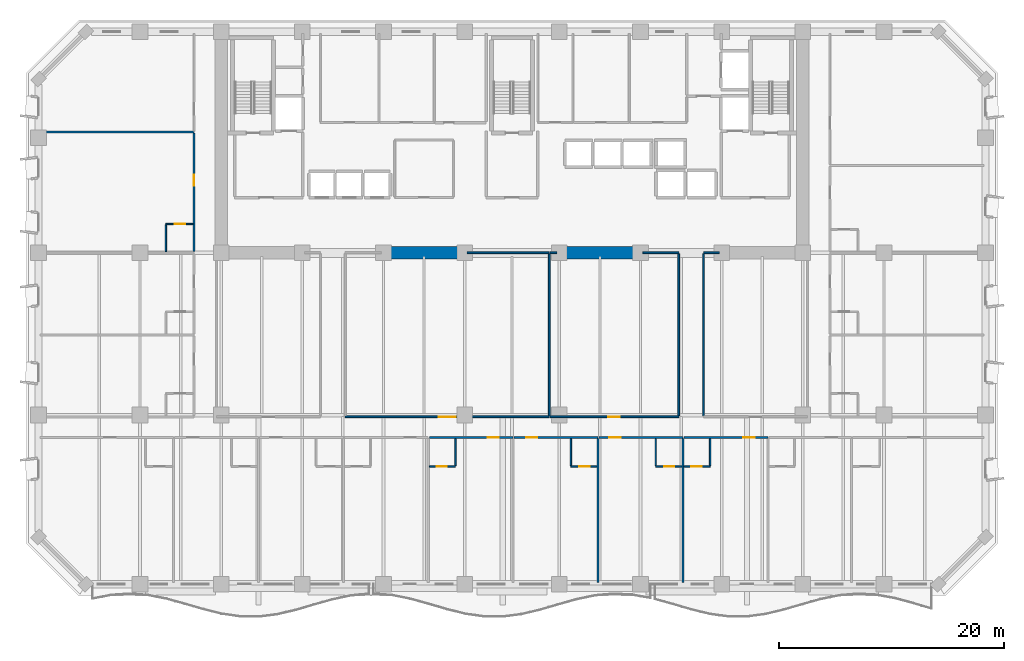
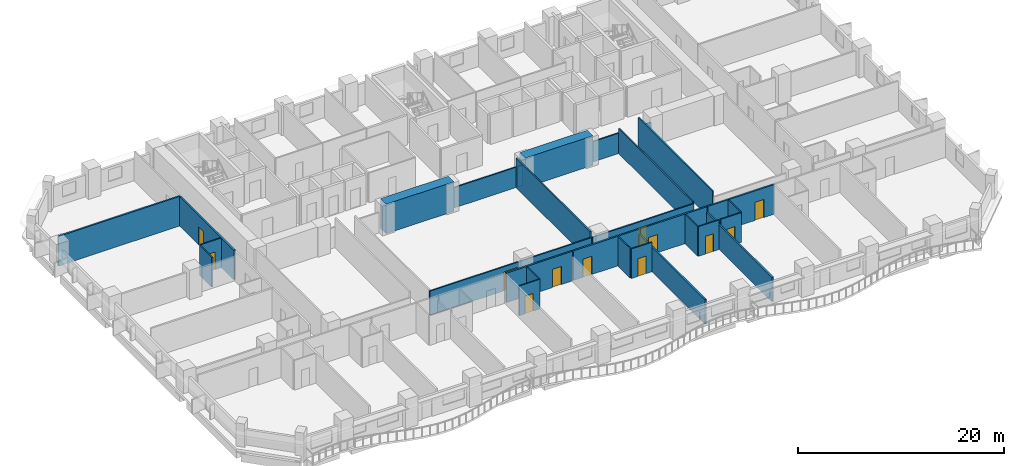
# One storey, part 6 of 15: 29 walls, 12 doors, 12 openings.
"""IFC4 building model written with IfcOpenShell, lengths in metres."""

import ifcopenshell
import ifcopenshell.guid

model = None  # the IFC model being written
_history = None  # IfcOwnerHistory: only IFC2X3 demands one
_inside = {}  # id of a spatial element -> (the spatial element, [elements in it])
_under = {}  # id of a project, library or spatial element -> (it, [spatial elements below it])
_declared = {}  # id of a project -> (the project, [libraries it declares])
_typed = {}  # id of a type object -> (the type object, [elements of that type])
_made_of = {}  # id of a material, layer set ... -> (it, [elements and type objects made of it])


def new_model(schema):
    """Start an empty IFC model of exactly this schema.

    Asked for "IFC4X3", IfcOpenShell would pick the latest addendum, in which some entities
    have other attributes; the version numbers below select the first issue.
    IFC2X3 requires an IfcOwnerHistory on every rooted entity: one is made here for all.
    """
    global model, _history
    if schema == "IFC4X3":
        model = ifcopenshell.file(schema_version=(4, 3, 0, 0))
    else:
        model = ifcopenshell.file(schema=schema)
    _inside.clear()
    _under.clear()
    _declared.clear()
    _typed.clear()
    _made_of.clear()
    _history = None
    if model.schema == "IFC2X3":
        org = make("IfcOrganization", Name="unknown")
        user = make(
            "IfcPersonAndOrganization",
            ThePerson=make("IfcPerson", FamilyName="unknown"),
            TheOrganization=org,
        )
        app = make(
            "IfcApplication",
            ApplicationDeveloper=org,
            Version="unknown",
            ApplicationFullName="unknown",
            ApplicationIdentifier="unknown",
        )
        _history = make(
            "IfcOwnerHistory",
            OwningUser=user,
            OwningApplication=app,
            ChangeAction="ADDED",
            CreationDate=0,
        )
    return model


def make(cls, **values):
    """One entity of the class cls with the attributes given. An attribute that is None is left unset."""
    return model.create_entity(
        cls, **{name: value for name, value in values.items() if value is not None}
    )


def rooted(cls, **values):
    """An entity with a GlobalId (a new one), such as an element, a storey or a relation."""
    return make(cls, GlobalId=ifcopenshell.guid.new(), OwnerHistory=_history, **values)


def si_unit(unit_type, name, prefix=None):
    """IfcSIUnit, for example si_unit("LENGTHUNIT", "METRE", prefix="MILLI")."""
    return make("IfcSIUnit", UnitType=unit_type, Prefix=prefix, Name=name)


def assignment(units):
    """IfcUnitAssignment: the units of a project."""
    return None if units is None else make("IfcUnitAssignment", Units=units)


def point(xyz):
    """IfcCartesianPoint."""
    return None if xyz is None else make("IfcCartesianPoint", Coordinates=xyz)


def direction(xyz):
    """IfcDirection."""
    return None if xyz is None else make("IfcDirection", DirectionRatios=xyz)


def frame(location, z_axis=None, x_axis=None):
    """IfcAxis2Placement3D, a coordinate frame: its origin and axes. An axis left out is left unset."""
    return make(
        "IfcAxis2Placement3D",
        Location=point(location),
        Axis=direction(z_axis),
        RefDirection=direction(x_axis),
    )


def frame_2d(location, x_axis=None):
    """IfcAxis2Placement2D, a coordinate frame in the plane: its origin and x axis."""
    return make(
        "IfcAxis2Placement2D", Location=point(location), RefDirection=direction(x_axis)
    )


def origin():
    """The frame at (0, 0, 0) with its axes left unset."""
    return frame((0.0, 0.0, 0.0))


def place(relative_to, where):
    """IfcLocalPlacement: puts the frame where relative to a parent placement (None: the world)."""
    return make(
        "IfcLocalPlacement", PlacementRelTo=relative_to, RelativePlacement=where
    )


def context(
    kind, dimensions, precision=None, world=None, true_north=None, identifier=None
):
    """IfcGeometricRepresentationContext, for example the 3D "Model" context."""
    return make(
        "IfcGeometricRepresentationContext",
        ContextIdentifier=identifier,
        ContextType=kind,
        CoordinateSpaceDimension=dimensions,
        Precision=precision,
        WorldCoordinateSystem=world,
        TrueNorth=true_north,
    )


def subcontext(parent, identifier, kind, view, scale=None):
    """IfcGeometricRepresentationSubContext, for example "Body" below "Model"."""
    return make(
        "IfcGeometricRepresentationSubContext",
        ContextIdentifier=identifier,
        ContextType=kind,
        ParentContext=parent,
        TargetScale=scale,
        TargetView=view,
    )


def project(units=None, contexts=None):
    """IfcProject with its units and contexts."""
    return rooted(
        "IfcProject",
        Name="project",
        RepresentationContexts=contexts,
        UnitsInContext=assignment(units),
    )


def spatial(cls, under=None, at=None, **own):
    """A site, building, storey or space (cls), placed at a placement, below another one or the project."""
    s = rooted(cls, ObjectPlacement=at, **own)
    if under is not None:
        _under.setdefault(under.id(), (under, []))[1].append(s)
    return s


def profile(cls, at=None, kind="AREA", **sizes):
    """A parametric profile (cls). Its sizes go by their IFC names, for example OverallWidth=200.0."""
    return make(cls, ProfileType=kind, Position=at, **sizes)


def rectangle(**sizes):
    """IfcRectangleProfileDef."""
    return profile("IfcRectangleProfileDef", **sizes)


def extrude(swept, where, along, depth):
    """IfcExtrudedAreaSolid: the profile swept, set in the frame where, extruded along a direction by depth."""
    return make(
        "IfcExtrudedAreaSolid",
        SweptArea=swept,
        Position=where,
        ExtrudedDirection=direction(along),
        Depth=depth,
    )


def shape(context_of_items, identifier, shape_type, items):
    """IfcShapeRepresentation: the items that make up one representation, for example the "Body"."""
    return make(
        "IfcShapeRepresentation",
        ContextOfItems=context_of_items,
        RepresentationIdentifier=identifier,
        RepresentationType=shape_type,
        Items=items,
    )


def material(Name=None, Category=None):
    """IfcMaterial."""
    return make("IfcMaterial", Name=Name, Category=Category)


def layer(
    of_material, thickness, ventilated=None, Name=None, Category=None, Priority=None
):
    """IfcMaterialLayer: one layer of a wall or slab, of a material (None: an air gap)."""
    return make(
        "IfcMaterialLayer",
        Material=of_material,
        LayerThickness=thickness,
        IsVentilated=ventilated,
        Name=Name,
        Category=Category,
        Priority=Priority,
    )


def layer_set(layers, Name=None):
    """IfcMaterialLayerSet."""
    return make("IfcMaterialLayerSet", MaterialLayers=layers, LayerSetName=Name)


def made_of(thing, what):
    """Note that an element or type object is made of a material, layer set ...; save() writes the relation."""
    if what is not None:
        _made_of.setdefault(what.id(), (what, []))[1].append(thing)
    return thing


def type_object(cls, material=None, **own):
    """A type object (cls), such as IfcWallType, which elements share."""
    return made_of(rooted(cls, **own), material)


def element(
    cls,
    number,
    at=None,
    inside=None,
    cuts=None,
    type_object=None,
    material=None,
    context=None,
    identifier="Body",
    shape_type=None,
    held_by="IfcProductDefinitionShape",
    body=None,
    shapes=None,
    **own,
):
    """One element of the class cls, such as IfcWall. Its Tag is "e" and its number.

    at: its placement. inside: the storey or other place that contains it. cuts: it is an
    opening in that element (IfcRelVoidsElement). A single representation is given by context,
    identifier, shape_type and body (its items); several are given by shapes. held_by: the class
    of the entity that holds the representations. save() writes the other relations.
    """
    e = rooted(cls, Tag="e%d" % number, ObjectPlacement=at, **own)
    if body is not None:
        shapes = [shape(context, identifier, shape_type, body)]
    if shapes is not None:
        e.Representation = make(held_by, Representations=shapes)
    if inside is not None:
        _inside.setdefault(inside.id(), (inside, []))[1].append(e)
    if cuts is not None:
        rooted(
            "IfcRelVoidsElement", RelatingBuildingElement=cuts, RelatedOpeningElement=e
        )
    if type_object is not None:
        _typed.setdefault(type_object.id(), (type_object, []))[1].append(e)
    return made_of(e, material)


def fill(opening, filler):
    """IfcRelFillsElement: the door or window that sits in an opening."""
    return rooted(
        "IfcRelFillsElement",
        RelatingOpeningElement=opening,
        RelatedBuildingElement=filler,
    )


def aggregate(whole, parts):
    """IfcRelAggregates: a whole, such as a stair, and the parts it consists of."""
    return rooted("IfcRelAggregates", RelatingObject=whole, RelatedObjects=parts)


def save(model, path):
    """Write the relations noted so far, then the file.

    IfcRelAggregates (storeys below a building ...), IfcRelContainedInSpatialStructure (elements
    in a storey), IfcRelDefinesByType, IfcRelAssociatesMaterial and IfcRelDeclares: one each for
    every whole, place, type object, material and project.
    """
    for whole, parts in _under.values():
        aggregate(whole, parts)
    for where, things in _inside.values():
        rooted(
            "IfcRelContainedInSpatialStructure",
            RelatedElements=things,
            RelatingStructure=where,
        )
    for kind, things in _typed.values():
        rooted("IfcRelDefinesByType", RelatedObjects=things, RelatingType=kind)
    for what, things in _made_of.values():
        rooted("IfcRelAssociatesMaterial", RelatedObjects=things, RelatingMaterial=what)
    for by, libraries in _declared.values():
        rooted("IfcRelDeclares", RelatingContext=by, RelatedDefinitions=libraries)
    model.write(path)


model = new_model("IFC4")

# Units and contexts
model_context = context("Model", 3, precision=1e-05, world=origin(), true_north=direction((0.0, 1.0)))
body_context = subcontext(model_context, "Body", "Model", "MODEL_VIEW")
ifc_project = project(units=[si_unit("LENGTHUNIT", "METRE"), si_unit("AREAUNIT", "SQUARE_METRE"), si_unit("VOLUMEUNIT", "CUBIC_METRE"), si_unit("PLANEANGLEUNIT", "RADIAN"), si_unit("MASSUNIT", "GRAM", prefix="KILO")], contexts=[model_context])

# Site, building, storey
site_placement = place(None, origin())
site = spatial("IfcSite", under=ifc_project, at=site_placement, CompositionType="ELEMENT")
building_placement = place(site_placement, origin())
building = spatial("IfcBuilding", under=site, at=building_placement, Name="Kaelvorn Grand Hotel", CompositionType="ELEMENT")
storey_placement = place(building_placement, frame((0.0, 0.0, 61.39990234375)))
storey = spatial("IfcBuildingStorey", under=building, at=storey_placement, Name="L13", CompositionType="ELEMENT", Elevation=61.39990234375)

# Walls
ifc_material_1 = material(Name="Concrete C80/95", Category="concrete")
ifc_layer_1 = layer(ifc_material_1, 1.10009765625)
ifc_layer_set_1 = layer_set([ifc_layer_1], Name="Concrete C80/95")
wall_type_1 = type_object("IfcWallType", Name="WL-CORE-1100-C80", PredefinedType="SHEAR", material=ifc_layer_set_1)
for number, where, z_axis, x_axis, name in (
    (1, (30.39990234375, 29.39990234375, 0.0), (0.0, 0.0, 1.0), (1.0, 0.0, 0.0), "L13 Rear-Core Coupled Shear Pier S2"),
    (2, (46.0, 29.39990234375, 0.0), (0.0, 0.0, 1.0), (1.0, 0.0, 0.0), "L13 Rear-Core Coupled Shear Pier S3"),
):
    element("IfcWall", number, at=place(storey_placement, frame(where, z_axis=z_axis, x_axis=x_axis)), inside=storey, type_object=wall_type_1, Name=name, PredefinedType="SHEAR", context=body_context, shape_type="SweptSolid", body=[
        extrude(rectangle(XDim=7.60009765625, YDim=1.10009765625, at=frame_2d((3.800048828125, 0.0))), origin(), (0.0, 0.0, 1.0), 3.510009765625),
    ])

# Wall, opening, door
ifc_material_2 = material(Name="Moisture-Resistant Tile & Stud Board")
ifc_layer_2 = layer(ifc_material_2, 0.125)
ifc_layer_set_2 = layer_set([ifc_layer_2], Name="Moisture-Resistant Tile & Stud Board")
wall_type_2 = type_object("IfcWallType", Name="WL-PART-125-WET", PredefinedType="PARTITIONING", material=ifc_layer_set_2)
wall_1_placement = place(storey_placement, frame((34.665283203125, 10.449951171875, 0.0), z_axis=(0.0, 0.0, 1.0), x_axis=(1.0, 0.0, 0.0)))
wall_1 = element("IfcWall", 3, at=wall_1_placement, inside=storey, type_object=wall_type_2, Name="L13 En-suite Bathroom L13-05 S Partition", PredefinedType="PARTITIONING", context=body_context, shape_type="SweptSolid", body=[
    extrude(rectangle(XDim=2.31494140625, YDim=0.125, at=frame_2d((1.157470703125, 0.0))), origin(), (0.0, 0.0, 1.0), 3.510009765625),
])
opening_1_placement = place(wall_1_placement, frame((0.659912109375, 0.0, 0.0)))
opening_1 = element("IfcOpeningElement", 4, at=opening_1_placement, cuts=wall_1, Name="Opening DI4", PredefinedType="OPENING", context=body_context, shape_type="SweptSolid", body=[
    extrude(rectangle(XDim=0.89990234375, YDim=2.10009765625, at=frame_2d((0.449951171875, 1.050048828125))), frame((0.0, 0.072509765625, 0.0), z_axis=(0.0, -1.0, 0.0), x_axis=(1.0, 0.0, 0.0)), (0.0, 0.0, 1.0), 0.14501953125),
])
ifc_material_3 = material(Name="Timber Veneer Leaf", Category="wood")
door_type_1 = type_object("IfcDoorType", Name="DR-INT-BATH-900x2100", OperationType="NOTDEFINED", PredefinedType="DOOR", material=ifc_material_3)
door_1_placement = place(opening_1_placement, origin())
door_1 = element("IfcDoor", 5, at=door_1_placement, inside=storey, type_object=door_type_1, Name="L13 En-suite Bathroom L13-05 Door", OperationType="SINGLE_SWING_LEFT", OverallHeight=2.10009765625, OverallWidth=0.89990234375, PredefinedType="DOOR", context=body_context, shape_type="SweptSolid", body=[
    extrude(rectangle(XDim=0.89990234375, YDim=2.10009765625, at=frame_2d((0.449951171875, 1.050048828125))), frame((0.0, 0.02490234375, 0.0), z_axis=(0.0, -1.0, 0.0), x_axis=(1.0, 0.0, 0.0)), (0.0, 0.0, 1.0), 0.050048828125),
])
fill(opening_1, door_1)

# Wall
wall_2_placement = place(storey_placement, frame((36.980224609375, 10.517578125, 0.0), z_axis=(0.0, 0.0, 1.0), x_axis=(0.0, 1.0, 0.0)))
element("IfcWall", 6, at=wall_2_placement, inside=storey, type_object=wall_type_2, Name="L13 En-suite Bathroom L13-05 E Partition", PredefinedType="PARTITIONING", context=body_context, shape_type="SweptSolid", body=[
    extrude(rectangle(XDim=2.387451171875, YDim=0.125, at=frame_2d((1.19384765625, 0.0))), origin(), (0.0, 0.0, 1.0), 3.510009765625),
])

# Wall, opening, door
wall_3_placement = place(storey_placement, frame((47.220458984375, 10.449951171875, 0.0), z_axis=(0.0, 0.0, 1.0), x_axis=(1.0, 0.0, 0.0)))
wall_3 = element("IfcWall", 7, at=wall_3_placement, inside=storey, type_object=wall_type_2, Name="L13 En-suite Bathroom L13-06 S Partition", PredefinedType="PARTITIONING", context=body_context, shape_type="SweptSolid", body=[
    extrude(rectangle(XDim=2.31494140625, YDim=0.125, at=frame_2d((1.157470703125, 0.0))), origin(), (0.0, 0.0, 1.0), 3.510009765625),
])
opening_2_placement = place(wall_3_placement, frame((0.7548828125, 0.0, 0.0)))
opening_2 = element("IfcOpeningElement", 8, at=opening_2_placement, cuts=wall_3, Name="Opening DI4", PredefinedType="OPENING", context=body_context, shape_type="SweptSolid", body=[
    extrude(rectangle(XDim=0.89990234375, YDim=2.10009765625, at=frame_2d((0.449951171875, 1.050048828125))), frame((0.0, 0.072509765625, 0.0), z_axis=(0.0, -1.0, 0.0), x_axis=(1.0, 0.0, 0.0)), (0.0, 0.0, 1.0), 0.14501953125),
])
door_2_placement = place(opening_2_placement, origin())
door_2 = element("IfcDoor", 9, at=door_2_placement, inside=storey, type_object=door_type_1, Name="L13 En-suite Bathroom L13-06 Door", OperationType="SINGLE_SWING_LEFT", OverallHeight=2.10009765625, OverallWidth=0.89990234375, PredefinedType="DOOR", context=body_context, shape_type="SweptSolid", body=[
    extrude(rectangle(XDim=0.89990234375, YDim=2.10009765625, at=frame_2d((0.449951171875, 1.050048828125))), frame((0.0, 0.02490234375, 0.0), z_axis=(0.0, -1.0, 0.0), x_axis=(1.0, 0.0, 0.0)), (0.0, 0.0, 1.0), 0.050048828125),
])
fill(opening_2, door_2)

# Wall
wall_4_placement = place(storey_placement, frame((47.220458984375, 10.517578125, 0.0), z_axis=(0.0, 0.0, 1.0), x_axis=(0.0, 1.0, 0.0)))
element("IfcWall", 10, at=wall_4_placement, inside=storey, type_object=wall_type_2, Name="L13 En-suite Bathroom L13-06 W Partition", PredefinedType="PARTITIONING", context=body_context, shape_type="SweptSolid", body=[
    extrude(rectangle(XDim=2.387451171875, YDim=0.125, at=frame_2d((1.19384765625, 0.0))), origin(), (0.0, 0.0, 1.0), 3.510009765625),
])

# Wall, opening, door
wall_5_placement = place(storey_placement, frame((54.75048828125, 10.449951171875, 0.0), z_axis=(0.0, 0.0, 1.0), x_axis=(1.0, 0.0, 0.0)))
wall_5 = element("IfcWall", 11, at=wall_5_placement, inside=storey, type_object=wall_type_2, Name="L13 En-suite Bathroom L13-07 S Partition", PredefinedType="PARTITIONING", context=body_context, shape_type="SweptSolid", body=[
    extrude(rectangle(XDim=2.315185546875, YDim=0.125, at=frame_2d((1.15771484375, 0.0))), origin(), (0.0, 0.0, 1.0), 3.510009765625),
])
opening_3_placement = place(wall_5_placement, frame((0.7548828125, 0.0, 0.0)))
opening_3 = element("IfcOpeningElement", 12, at=opening_3_placement, cuts=wall_5, Name="Opening DI4", PredefinedType="OPENING", context=body_context, shape_type="SweptSolid", body=[
    extrude(rectangle(XDim=0.89990234375, YDim=2.10009765625, at=frame_2d((0.449951171875, 1.050048828125))), frame((0.0, 0.072509765625, 0.0), z_axis=(0.0, -1.0, 0.0), x_axis=(1.0, 0.0, 0.0)), (0.0, 0.0, 1.0), 0.14501953125),
])
door_3_placement = place(opening_3_placement, origin())
door_3 = element("IfcDoor", 13, at=door_3_placement, inside=storey, type_object=door_type_1, Name="L13 En-suite Bathroom L13-07 Door", OperationType="SINGLE_SWING_LEFT", OverallHeight=2.10009765625, OverallWidth=0.89990234375, PredefinedType="DOOR", context=body_context, shape_type="SweptSolid", body=[
    extrude(rectangle(XDim=0.89990234375, YDim=2.10009765625, at=frame_2d((0.449951171875, 1.050048828125))), frame((0.0, 0.02490234375, 0.0), z_axis=(0.0, -1.0, 0.0), x_axis=(1.0, 0.0, 0.0)), (0.0, 0.0, 1.0), 0.050048828125),
])
fill(opening_3, door_3)

# Wall
wall_6_placement = place(storey_placement, frame((54.75048828125, 10.517578125, 0.0), z_axis=(0.0, 0.0, 1.0), x_axis=(0.0, 1.0, 0.0)))
element("IfcWall", 14, at=wall_6_placement, inside=storey, type_object=wall_type_2, Name="L13 En-suite Bathroom L13-07 W Partition", PredefinedType="PARTITIONING", context=body_context, shape_type="SweptSolid", body=[
    extrude(rectangle(XDim=2.387451171875, YDim=0.125, at=frame_2d((1.19384765625, 0.0))), origin(), (0.0, 0.0, 1.0), 3.510009765625),
])

# Wall, opening, door
wall_7_placement = place(storey_placement, frame((57.255615234375, 10.449951171875, 0.0), z_axis=(0.0, 0.0, 1.0), x_axis=(1.0, 0.0, 0.0)))
wall_7 = element("IfcWall", 15, at=wall_7_placement, inside=storey, type_object=wall_type_2, Name="L13 En-suite Bathroom L13-08 S Partition", PredefinedType="PARTITIONING", context=body_context, shape_type="SweptSolid", body=[
    extrude(rectangle(XDim=2.31494140625, YDim=0.125, at=frame_2d((1.157470703125, 0.0))), origin(), (0.0, 0.0, 1.0), 3.510009765625),
])
opening_4_placement = place(wall_7_placement, frame((0.659912109375, 0.0, 0.0)))
opening_4 = element("IfcOpeningElement", 16, at=opening_4_placement, cuts=wall_7, Name="Opening DI4", PredefinedType="OPENING", context=body_context, shape_type="SweptSolid", body=[
    extrude(rectangle(XDim=0.89990234375, YDim=2.10009765625, at=frame_2d((0.449951171875, 1.050048828125))), frame((0.0, 0.072509765625, 0.0), z_axis=(0.0, -1.0, 0.0), x_axis=(1.0, 0.0, 0.0)), (0.0, 0.0, 1.0), 0.14501953125),
])
door_4_placement = place(opening_4_placement, origin())
door_4 = element("IfcDoor", 17, at=door_4_placement, inside=storey, type_object=door_type_1, Name="L13 En-suite Bathroom L13-08 Door", OperationType="SINGLE_SWING_LEFT", OverallHeight=2.10009765625, OverallWidth=0.89990234375, PredefinedType="DOOR", context=body_context, shape_type="SweptSolid", body=[
    extrude(rectangle(XDim=0.89990234375, YDim=2.10009765625, at=frame_2d((0.449951171875, 1.050048828125))), frame((0.0, 0.02490234375, 0.0), z_axis=(0.0, -1.0, 0.0), x_axis=(1.0, 0.0, 0.0)), (0.0, 0.0, 1.0), 0.050048828125),
])
fill(opening_4, door_4)

# Wall
wall_8_placement = place(storey_placement, frame((59.570556640625, 10.517578125, 0.0), z_axis=(0.0, 0.0, 1.0), x_axis=(0.0, 1.0, 0.0)))
element("IfcWall", 18, at=wall_8_placement, inside=storey, type_object=wall_type_2, Name="L13 En-suite Bathroom L13-08 E Partition", PredefinedType="PARTITIONING", context=body_context, shape_type="SweptSolid", body=[
    extrude(rectangle(XDim=2.387451171875, YDim=0.125, at=frame_2d((1.19384765625, 0.0))), origin(), (0.0, 0.0, 1.0), 3.510009765625),
])

# Wall, opening, door
wall_9_placement = place(storey_placement, frame((11.300048828125, 31.949951171875, 0.0), z_axis=(0.0, 0.0, 1.0), x_axis=(1.0, 0.0, 0.0)))
wall_9 = element("IfcWall", 19, at=wall_9_placement, inside=storey, type_object=wall_type_2, Name="L13 En-suite Bathroom L13-15 N Partition", PredefinedType="PARTITIONING", context=body_context, shape_type="SweptSolid", body=[
    extrude(rectangle(XDim=2.405029296875, YDim=0.125, at=frame_2d((1.20263671875, 0.0))), origin(), (0.0, 0.0, 1.0), 3.510009765625),
])
opening_5_placement = place(wall_9_placement, frame((0.800048828125, 0.0, 0.0)))
opening_5 = element("IfcOpeningElement", 20, at=opening_5_placement, cuts=wall_9, Name="Opening DI4", PredefinedType="OPENING", context=body_context, shape_type="SweptSolid", body=[
    extrude(rectangle(XDim=0.89990234375, YDim=2.10009765625, at=frame_2d((0.449951171875, 1.050048828125))), frame((0.0, 0.072509765625, 0.0), z_axis=(0.0, -1.0, 0.0), x_axis=(1.0, 0.0, 0.0)), (0.0, 0.0, 1.0), 0.14501953125),
])
door_5_placement = place(opening_5_placement, origin())
door_5 = element("IfcDoor", 21, at=door_5_placement, inside=storey, type_object=door_type_1, Name="L13 En-suite Bathroom L13-15 Door", OperationType="SINGLE_SWING_RIGHT", OverallHeight=2.10009765625, OverallWidth=0.89990234375, PredefinedType="DOOR", context=body_context, shape_type="SweptSolid", body=[
    extrude(rectangle(XDim=0.89990234375, YDim=2.10009765625, at=frame_2d((0.449951171875, 1.050048828125))), frame((0.0, 0.02490234375, 0.0), z_axis=(0.0, -1.0, 0.0), x_axis=(1.0, 0.0, 0.0)), (0.0, 0.0, 1.0), 0.050048828125),
])
fill(opening_5, door_5)

# Wall
wall_10_placement = place(storey_placement, frame((11.300048828125, 29.4951171875, 0.0), z_axis=(0.0, 0.0, 1.0), x_axis=(0.0, 1.0, 0.0)))
element("IfcWall", 22, at=wall_10_placement, inside=storey, type_object=wall_type_2, Name="L13 En-suite Bathroom L13-15 W Partition", PredefinedType="PARTITIONING", context=body_context, shape_type="SweptSolid", body=[
    extrude(rectangle(XDim=2.387451171875, YDim=0.125, at=frame_2d((1.19384765625, 0.0))), origin(), (0.0, 0.0, 1.0), 3.510009765625),
])

# Wall, opening, door
ifc_material_4 = material(Name="Acoustic Gypsum & Stud Partition")
ifc_layer_3 = layer(ifc_material_4, 0.14990234375)
ifc_layer_set_3 = layer_set([ifc_layer_3], Name="Acoustic Gypsum & Stud Partition")
wall_type_3 = type_object("IfcWallType", Name="WL-PART-150-EI60", PredefinedType="PARTITIONING", material=ifc_layer_set_3)
wall_11_placement = place(storey_placement, frame((27.199951171875, 14.85009765625, 0.0), z_axis=(0.0, 0.0, 1.0), x_axis=(1.0, 0.0, 0.0)))
wall_11 = element("IfcWall", 23, at=wall_11_placement, inside=storey, type_object=wall_type_3, Name="L13 Guest Pantry Kitchen S Partition", PredefinedType="PARTITIONING", context=body_context, shape_type="SweptSolid", body=[
    extrude(rectangle(XDim=18.10009765625, YDim=0.14990234375, at=frame_2d((9.050048828125, 0.0))), origin(), (0.0, 0.0, 1.0), 2.860107421875),
])
opening_6_placement = place(wall_11_placement, frame((8.300048828125, 0.0, 0.0)))
opening_6 = element("IfcOpeningElement", 24, at=opening_6_placement, cuts=wall_11, Name="Opening DI5", PredefinedType="OPENING", context=body_context, shape_type="SweptSolid", body=[
    extrude(rectangle(XDim=1.5, YDim=2.25, at=frame_2d((0.75, 1.125))), frame((0.0, 0.0849609375, 0.0), z_axis=(0.0, -1.0, 0.0), x_axis=(1.0, 0.0, 0.0)), (0.0, 0.0, 1.0), 0.169921875),
])
ifc_material_5 = material(Name="Timber Veneer Fire Leaf", Category="wood")
door_type_2 = type_object("IfcDoorType", Name="DR-INT-SALON-1500x2250", OperationType="DOUBLE_DOOR_SINGLE_SWING", PredefinedType="DOOR", material=ifc_material_5)
door_6_placement = place(opening_6_placement, origin())
door_6 = element("IfcDoor", 25, at=door_6_placement, inside=storey, type_object=door_type_2, Name="L13 Guest Pantry Kitchen Door", OperationType="DOUBLE_DOOR_SINGLE_SWING", OverallHeight=2.25, OverallWidth=1.5, PredefinedType="DOOR", context=body_context, shape_type="SweptSolid", body=[
    extrude(rectangle(XDim=1.5, YDim=2.25, at=frame_2d((0.75, 1.125))), frame((0.0, 0.02490234375, 0.0), z_axis=(0.0, -1.0, 0.0), x_axis=(1.0, 0.0, 0.0)), (0.0, 0.0, 1.0), 0.050048828125),
])
fill(opening_6, door_6)

# Walls
wall_12_placement = place(storey_placement, frame((38.010009765625, 29.39990234375, 0.0), z_axis=(0.0, 0.0, 1.0), x_axis=(1.0, 0.0, 0.0)))
element("IfcWall", 26, at=wall_12_placement, inside=storey, type_object=wall_type_3, Name="L13 Guest Pantry Kitchen N Partition (2)", PredefinedType="PARTITIONING", context=body_context, shape_type="SweptSolid", body=[
    extrude(rectangle(XDim=7.2900390625, YDim=0.14990234375, at=frame_2d((3.64501953125, 0.0))), origin(), (0.0, 0.0, 1.0), 2.41015625),
])
wall_13_placement = place(storey_placement, frame((45.300048828125, 14.929931640625, 0.0), z_axis=(0.0, 0.0, 1.0), x_axis=(0.0, 1.0, 0.0)))
element("IfcWall", 27, at=wall_13_placement, inside=storey, type_object=wall_type_3, Name="L13 Guest Pantry Kitchen E Partition", PredefinedType="PARTITIONING", context=body_context, shape_type="SweptSolid", body=[
    extrude(rectangle(XDim=14.39013671875, YDim=0.14990234375, at=frame_2d((7.195068359375, 0.0))), origin(), (0.0, 0.0, 1.0), 3.510009765625),
])

# Wall, opening, door
wall_14_placement = place(storey_placement, frame((45.3798828125, 14.85009765625, 0.0), z_axis=(0.0, 0.0, 1.0), x_axis=(1.0, 0.0, 0.0)))
wall_14 = element("IfcWall", 28, at=wall_14_placement, inside=storey, type_object=wall_type_3, Name="L13 Diplomatic Living Room S Partition", PredefinedType="PARTITIONING", context=body_context, shape_type="SweptSolid", body=[
    extrude(rectangle(XDim=11.420166015625, YDim=0.14990234375, at=frame_2d((5.7099609375, 0.0))), origin(), (0.0, 0.0, 1.0), 2.860107421875),
])
opening_7_placement = place(wall_14_placement, frame((5.169921875, 0.0, 0.0)))
opening_7 = element("IfcOpeningElement", 29, at=opening_7_placement, cuts=wall_14, Name="Opening DI3", PredefinedType="OPENING", context=body_context, shape_type="SweptSolid", body=[
    extrude(rectangle(XDim=1.0, YDim=2.14990234375, at=frame_2d((0.5, 1.074951171875))), frame((0.0, 0.0849609375, 0.0), z_axis=(0.0, -1.0, 0.0), x_axis=(1.0, 0.0, 0.0)), (0.0, 0.0, 1.0), 0.169921875),
])
door_type_3 = type_object("IfcDoorType", Name="DR-INT-GUEST-1000x2150", OperationType="NOTDEFINED", PredefinedType="DOOR", material=ifc_material_5)
door_7_placement = place(opening_7_placement, origin())
door_7 = element("IfcDoor", 30, at=door_7_placement, inside=storey, type_object=door_type_3, Name="L13 Diplomatic Living Room Door", OperationType="SINGLE_SWING_LEFT", OverallHeight=2.14990234375, OverallWidth=1.0, PredefinedType="DOOR", context=body_context, shape_type="SweptSolid", body=[
    extrude(rectangle(XDim=1.0, YDim=2.14990234375, at=frame_2d((0.5, 1.074951171875))), frame((0.0, 0.02490234375, 0.0), z_axis=(0.0, -1.0, 0.0), x_axis=(1.0, 0.0, 0.0)), (0.0, 0.0, 1.0), 0.050048828125),
])
fill(opening_7, door_7)

# Walls
wall_15_placement = place(storey_placement, frame((45.3798828125, 29.39990234375, 0.0), z_axis=(0.0, 0.0, 1.0), x_axis=(1.0, 0.0, 0.0)))
element("IfcWall", 31, at=wall_15_placement, inside=storey, type_object=wall_type_3, Name="L13 Diplomatic Living Room N Partition (1)", PredefinedType="PARTITIONING", context=body_context, shape_type="SweptSolid", body=[
    extrude(rectangle(XDim=0.610107421875, YDim=0.14990234375, at=frame_2d((0.30517578125, 0.0))), origin(), (0.0, 0.0, 1.0), 2.41015625),
])
wall_16_placement = place(storey_placement, frame((53.610107421875, 29.39990234375, 0.0), z_axis=(0.0, 0.0, 1.0), x_axis=(1.0, 0.0, 0.0)))
element("IfcWall", 32, at=wall_16_placement, inside=storey, type_object=wall_type_3, Name="L13 Diplomatic Living Room N Partition (2)", PredefinedType="PARTITIONING", context=body_context, shape_type="SweptSolid", body=[
    extrude(rectangle(XDim=3.18994140625, YDim=0.14990234375, at=frame_2d((1.594970703125, 0.0))), origin(), (0.0, 0.0, 1.0), 2.41015625),
])
wall_17_placement = place(storey_placement, frame((56.800048828125, 14.929931640625, 0.0), z_axis=(0.0, 0.0, 1.0), x_axis=(0.0, 1.0, 0.0)))
element("IfcWall", 33, at=wall_17_placement, inside=storey, type_object=wall_type_3, Name="L13 Diplomatic Living Room E Partition", PredefinedType="PARTITIONING", context=body_context, shape_type="SweptSolid", body=[
    extrude(rectangle(XDim=14.39013671875, YDim=0.14990234375, at=frame_2d((7.195068359375, 0.0))), origin(), (0.0, 0.0, 1.0), 2.97705078125),
])
wall_18_placement = place(storey_placement, frame((59.0, 29.39990234375, 0.0), z_axis=(0.0, 0.0, 1.0), x_axis=(1.0, 0.0, 0.0)))
element("IfcWall", 34, at=wall_18_placement, inside=storey, type_object=wall_type_3, Name="L13 Executive Meeting Room N Partition", PredefinedType="PARTITIONING", context=body_context, shape_type="SweptSolid", body=[
    extrude(rectangle(XDim=1.389892578125, YDim=0.14990234375, at=frame_2d((0.69482421875, 0.0))), origin(), (0.0, 0.0, 1.0), 2.41015625),
])
wall_19_placement = place(storey_placement, frame((59.0, 14.929931640625, 0.0), z_axis=(0.0, 0.0, 1.0), x_axis=(0.0, 1.0, 0.0)))
element("IfcWall", 35, at=wall_19_placement, inside=storey, type_object=wall_type_3, Name="L13 Executive Meeting Room W Partition", PredefinedType="PARTITIONING", context=body_context, shape_type="SweptSolid", body=[
    extrude(rectangle(XDim=14.39013671875, YDim=0.14990234375, at=frame_2d((7.195068359375, 0.0))), origin(), (0.0, 0.0, 1.0), 3.510009765625),
])

# Wall, opening, door
ifc_layer_4 = layer(ifc_material_4, 0.179931640625)
ifc_layer_set_4 = layer_set([ifc_layer_4], Name="Acoustic Gypsum & Stud Partition")
wall_type_4 = type_object("IfcWallType", Name="WL-PART-180-EI60", PredefinedType="PARTITIONING", material=ifc_layer_set_4)
wall_20_placement = place(storey_placement, frame((34.665283203125, 13.0, 0.0), z_axis=(0.0, 0.0, 1.0), x_axis=(1.0, 0.0, 0.0)))
wall_20 = element("IfcWall", 36, at=wall_20_placement, inside=storey, type_object=wall_type_4, Name="L13 Deluxe Panoramic Suite L13-05 N Partition", PredefinedType="PARTITIONING", context=body_context, shape_type="SweptSolid", body=[
    extrude(rectangle(XDim=7.43505859375, YDim=0.179931640625, at=frame_2d((3.717529296875, 0.0))), origin(), (0.0, 0.0, 1.0), 3.510009765625),
])
opening_8_placement = place(wall_20_placement, frame((5.1748046875, 0.0, 0.0)))
opening_8 = element("IfcOpeningElement", 37, at=opening_8_placement, cuts=wall_20, Name="Opening DI3", PredefinedType="OPENING", context=body_context, shape_type="SweptSolid", body=[
    extrude(rectangle(XDim=1.0, YDim=2.14990234375, at=frame_2d((0.5, 1.074951171875))), frame((0.0, 0.10009765625, 0.0), z_axis=(0.0, -1.0, 0.0), x_axis=(1.0, 0.0, 0.0)), (0.0, 0.0, 1.0), 0.199951171875),
])
door_8_placement = place(opening_8_placement, origin())
door_8 = element("IfcDoor", 38, at=door_8_placement, inside=storey, type_object=door_type_3, Name="L13 Deluxe Panoramic Suite L13-05 Door", OperationType="SINGLE_SWING_RIGHT", OverallHeight=2.14990234375, OverallWidth=1.0, PredefinedType="DOOR", context=body_context, shape_type="SweptSolid", body=[
    extrude(rectangle(XDim=1.0, YDim=2.14990234375, at=frame_2d((0.5, 1.074951171875))), frame((0.0, 0.02490234375, 0.0), z_axis=(0.0, -1.0, 0.0), x_axis=(1.0, 0.0, 0.0)), (0.0, 0.0, 1.0), 0.050048828125),
])
fill(opening_8, door_8)

wall_21_placement = place(storey_placement, frame((42.1953125, 13.0, 0.0), z_axis=(0.0, 0.0, 1.0), x_axis=(1.0, 0.0, 0.0)))
wall_21 = element("IfcWall", 39, at=wall_21_placement, inside=storey, type_object=wall_type_4, Name="L13 Deluxe Panoramic Suite L13-06 N Partition", PredefinedType="PARTITIONING", context=body_context, shape_type="SweptSolid", body=[
    extrude(rectangle(XDim=7.435302734375, YDim=0.179931640625, at=frame_2d((3.7177734375, 0.0))), origin(), (0.0, 0.0, 1.0), 3.510009765625),
])
opening_9_placement = place(wall_21_placement, frame((1.064697265625, 0.0, 0.0)))
opening_9 = element("IfcOpeningElement", 40, at=opening_9_placement, cuts=wall_21, Name="Opening DI3", PredefinedType="OPENING", context=body_context, shape_type="SweptSolid", body=[
    extrude(rectangle(XDim=1.0, YDim=2.14990234375, at=frame_2d((0.5, 1.074951171875))), frame((0.0, 0.10009765625, 0.0), z_axis=(0.0, -1.0, 0.0), x_axis=(1.0, 0.0, 0.0)), (0.0, 0.0, 1.0), 0.199951171875),
])
door_9_placement = place(opening_9_placement, origin())
door_9 = element("IfcDoor", 41, at=door_9_placement, inside=storey, type_object=door_type_3, Name="L13 Deluxe Panoramic Suite L13-06 Door", OperationType="SINGLE_SWING_RIGHT", OverallHeight=2.14990234375, OverallWidth=1.0, PredefinedType="DOOR", context=body_context, shape_type="SweptSolid", body=[
    extrude(rectangle(XDim=1.0, YDim=2.14990234375, at=frame_2d((0.5, 1.074951171875))), frame((0.0, 0.02490234375, 0.0), z_axis=(0.0, -1.0, 0.0), x_axis=(1.0, 0.0, 0.0)), (0.0, 0.0, 1.0), 0.050048828125),
])
fill(opening_9, door_9)

# Wall
wall_22_placement = place(storey_placement, frame((49.630615234375, 0.14990234375, 0.0), z_axis=(0.0, 0.0, 1.0), x_axis=(0.0, 1.0, 0.0)))
element("IfcWall", 42, at=wall_22_placement, inside=storey, type_object=wall_type_4, Name="L13 Deluxe Panoramic Suite L13-06 E Partition", PredefinedType="PARTITIONING", context=body_context, shape_type="SweptSolid", body=[
    extrude(rectangle(XDim=12.755126953125, YDim=0.179931640625, at=frame_2d((6.37744140625, 0.0))), origin(), (0.0, 0.0, 1.0), 2.89794921875),
])

# Wall, opening, door
wall_23_placement = place(storey_placement, frame((49.7255859375, 13.0, 0.0), z_axis=(0.0, 0.0, 1.0), x_axis=(1.0, 0.0, 0.0)))
wall_23 = element("IfcWall", 43, at=wall_23_placement, inside=storey, type_object=wall_type_4, Name="L13 Deluxe Panoramic Suite L13-07 N Partition", PredefinedType="PARTITIONING", context=body_context, shape_type="SweptSolid", body=[
    extrude(rectangle(XDim=7.43505859375, YDim=0.179931640625, at=frame_2d((3.717529296875, 0.0))), origin(), (0.0, 0.0, 1.0), 3.510009765625),
])
opening_10_placement = place(wall_23_placement, frame((0.899658203125, 0.0, 0.0)))
opening_10 = element("IfcOpeningElement", 44, at=opening_10_placement, cuts=wall_23, Name="Opening DI3", PredefinedType="OPENING", context=body_context, shape_type="SweptSolid", body=[
    extrude(rectangle(XDim=1.0, YDim=2.14990234375, at=frame_2d((0.5, 1.074951171875))), frame((0.0, 0.10009765625, 0.0), z_axis=(0.0, -1.0, 0.0), x_axis=(1.0, 0.0, 0.0)), (0.0, 0.0, 1.0), 0.199951171875),
])
door_10_placement = place(opening_10_placement, origin())
door_10 = element("IfcDoor", 45, at=door_10_placement, inside=storey, type_object=door_type_3, Name="L13 Deluxe Panoramic Suite L13-07 Door", OperationType="SINGLE_SWING_RIGHT", OverallHeight=2.14990234375, OverallWidth=1.0, PredefinedType="DOOR", context=body_context, shape_type="SweptSolid", body=[
    extrude(rectangle(XDim=1.0, YDim=2.14990234375, at=frame_2d((0.5, 1.074951171875))), frame((0.0, 0.02490234375, 0.0), z_axis=(0.0, -1.0, 0.0), x_axis=(1.0, 0.0, 0.0)), (0.0, 0.0, 1.0), 0.050048828125),
])
fill(opening_10, door_10)

# Wall
wall_24_placement = place(storey_placement, frame((57.16064453125, 0.14990234375, 0.0), z_axis=(0.0, 0.0, 1.0), x_axis=(0.0, 1.0, 0.0)))
element("IfcWall", 46, at=wall_24_placement, inside=storey, type_object=wall_type_4, Name="L13 Deluxe Panoramic Suite L13-07 E Partition", PredefinedType="PARTITIONING", context=body_context, shape_type="SweptSolid", body=[
    extrude(rectangle(XDim=12.755126953125, YDim=0.179931640625, at=frame_2d((6.37744140625, 0.0))), origin(), (0.0, 0.0, 1.0), 2.89794921875),
])

# Wall, opening, door
wall_25_placement = place(storey_placement, frame((57.255615234375, 13.0, 0.0), z_axis=(0.0, 0.0, 1.0), x_axis=(1.0, 0.0, 0.0)))
wall_25 = element("IfcWall", 47, at=wall_25_placement, inside=storey, type_object=wall_type_4, Name="L13 Deluxe Panoramic Suite L13-08 N Partition", PredefinedType="PARTITIONING", context=body_context, shape_type="SweptSolid", body=[
    extrude(rectangle(XDim=7.43505859375, YDim=0.179931640625, at=frame_2d((3.717529296875, 0.0))), origin(), (0.0, 0.0, 1.0), 3.510009765625),
])
opening_11_placement = place(wall_25_placement, frame((5.27978515625, 0.0, 0.0)))
opening_11 = element("IfcOpeningElement", 48, at=opening_11_placement, cuts=wall_25, Name="Opening DI3", PredefinedType="OPENING", context=body_context, shape_type="SweptSolid", body=[
    extrude(rectangle(XDim=1.0, YDim=2.14990234375, at=frame_2d((0.5, 1.074951171875))), frame((0.0, 0.10009765625, 0.0), z_axis=(0.0, -1.0, 0.0), x_axis=(1.0, 0.0, 0.0)), (0.0, 0.0, 1.0), 0.199951171875),
])
door_11_placement = place(opening_11_placement, origin())
door_11 = element("IfcDoor", 49, at=door_11_placement, inside=storey, type_object=door_type_3, Name="L13 Deluxe Panoramic Suite L13-08 Door", OperationType="SINGLE_SWING_RIGHT", OverallHeight=2.14990234375, OverallWidth=1.0, PredefinedType="DOOR", context=body_context, shape_type="SweptSolid", body=[
    extrude(rectangle(XDim=1.0, YDim=2.14990234375, at=frame_2d((0.5, 1.074951171875))), frame((0.0, 0.02490234375, 0.0), z_axis=(0.0, -1.0, 0.0), x_axis=(1.0, 0.0, 0.0)), (0.0, 0.0, 1.0), 0.050048828125),
])
fill(opening_11, door_11)

# Wall
wall_26_placement = place(storey_placement, frame((0.14990234375, 40.10009765625, 0.0), z_axis=(0.0, 0.0, 1.0), x_axis=(1.0, 0.0, 0.0)))
element("IfcWall", 50, at=wall_26_placement, inside=storey, type_object=wall_type_4, Name="L13 North-West Wing Suite L13-15 N Partition", PredefinedType="PARTITIONING", context=body_context, shape_type="SweptSolid", body=[
    extrude(rectangle(XDim=13.650146484375, YDim=0.179931640625, at=frame_2d((6.8251953125, 0.0))), origin(), (0.0, 0.0, 1.0), 3.510009765625),
])

# Wall, opening, door
wall_27_placement = place(storey_placement, frame((13.800048828125, 29.4951171875, 0.0), z_axis=(0.0, 0.0, 1.0), x_axis=(0.0, 1.0, 0.0)))
wall_27 = element("IfcWall", 51, at=wall_27_placement, inside=storey, type_object=wall_type_4, Name="L13 North-West Wing Suite L13-15 E Partition", PredefinedType="PARTITIONING", context=body_context, shape_type="SweptSolid", body=[
    extrude(rectangle(XDim=10.509765625, YDim=0.179931640625, at=frame_2d((5.2548828125, 0.0))), origin(), (0.0, 0.0, 1.0), 3.510009765625),
])
opening_12_placement = place(wall_27_placement, frame((5.840087890625, 0.0, 0.0)))
opening_12 = element("IfcOpeningElement", 52, at=opening_12_placement, cuts=wall_27, Name="Opening DI3", PredefinedType="OPENING", context=body_context, shape_type="SweptSolid", body=[
    extrude(rectangle(XDim=1.0, YDim=2.14990234375, at=frame_2d((0.5, 1.074951171875))), frame((0.0, 0.10009765625, 0.0), z_axis=(0.0, -1.0, 0.0), x_axis=(1.0, 0.0, 0.0)), (0.0, 0.0, 1.0), 0.199951171875),
])
door_12_placement = place(opening_12_placement, origin())
door_12 = element("IfcDoor", 53, at=door_12_placement, inside=storey, type_object=door_type_3, Name="L13 North-West Wing Suite L13-15 Door", OperationType="SINGLE_SWING_LEFT", OverallHeight=2.14990234375, OverallWidth=1.0, PredefinedType="DOOR", context=body_context, shape_type="SweptSolid", body=[
    extrude(rectangle(XDim=1.0, YDim=2.14990234375, at=frame_2d((0.5, 1.074951171875))), frame((0.0, 0.02490234375, 0.0), z_axis=(0.0, -1.0, 0.0), x_axis=(1.0, 0.0, 0.0)), (0.0, 0.0, 1.0), 0.050048828125),
])
fill(opening_12, door_12)

save(model, "model.ifc")
